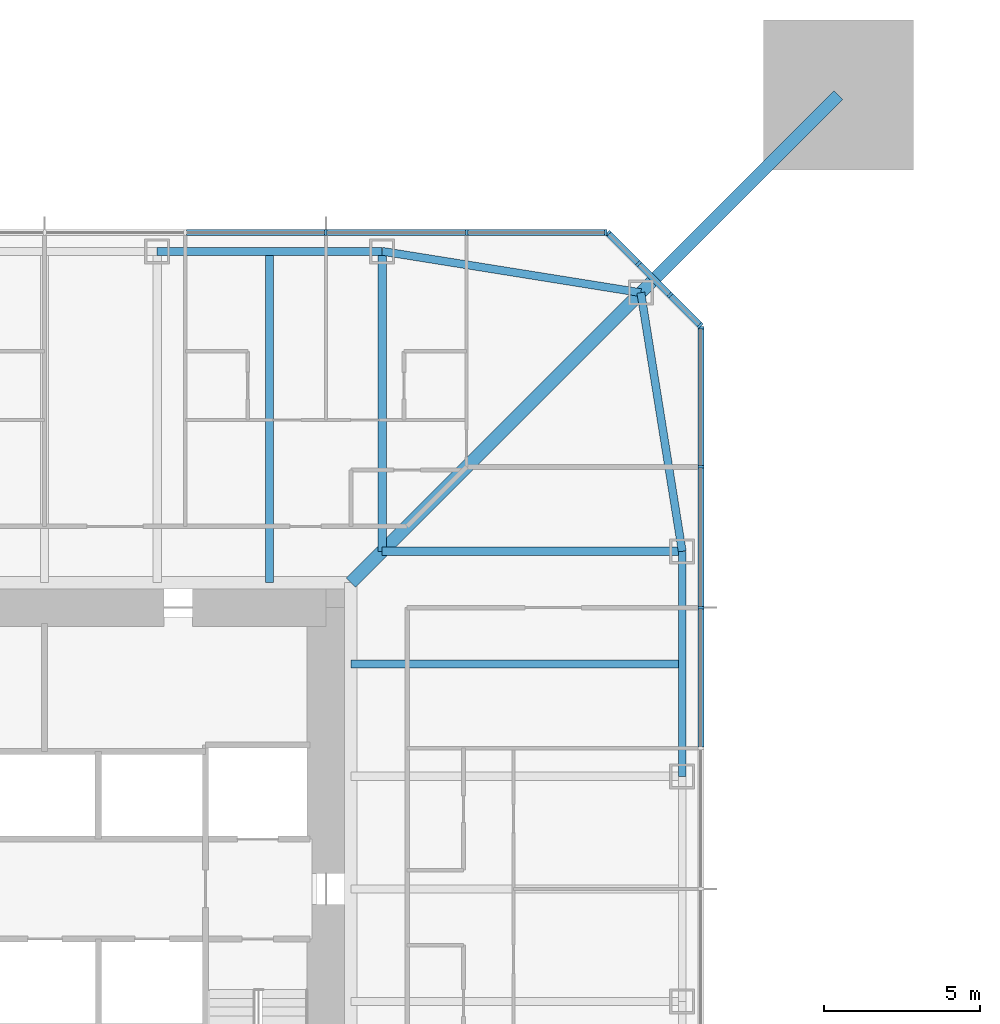
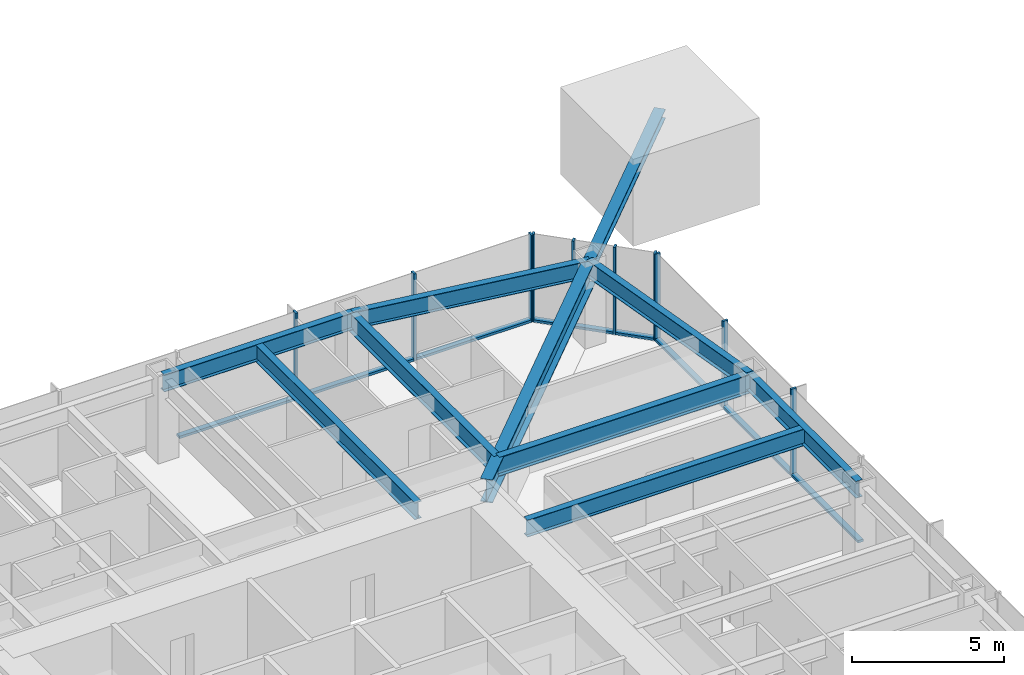
# One storey, part 7 of 25: 20 members, 9 beams, 3 elements without a shape of their own.
"""IFC4 building model written with IfcOpenShell, lengths in metres."""

from ifc_helpers import new_model, si_unit, direction, frame, origin, origin_2d, place, context, subcontext, project, spatial, rectangle, i_section, extrude, material, material_profile, profile_set, type_object, element, aggregate, save


model = new_model("IFC4")

# Units and contexts
model_context = context("Model", 3, precision=1e-05, world=origin(), true_north=direction((0.0, 1.0)))
body_context = subcontext(model_context, "Body", "Model", "MODEL_VIEW")
ifc_project = project(units=[si_unit("LENGTHUNIT", "METRE"), si_unit("AREAUNIT", "SQUARE_METRE"), si_unit("VOLUMEUNIT", "CUBIC_METRE"), si_unit("PLANEANGLEUNIT", "RADIAN"), si_unit("MASSUNIT", "GRAM", prefix="KILO")], contexts=[model_context])

# Site, building, storey
site_placement = place(None, origin())
site = spatial("IfcSite", under=ifc_project, at=site_placement, CompositionType="ELEMENT")
building_placement = place(site_placement, origin())
building = spatial("IfcBuilding", under=site, at=building_placement, Name="Iwan Alto Co-Living Towers", CompositionType="ELEMENT")
storey_placement = place(building_placement, frame((0.0, 0.0, 105.0)))
storey = spatial("IfcBuildingStorey", under=building, at=storey_placement, Name="L28", CompositionType="ELEMENT", Elevation=105.0)

# Curtain wall, members
ifc_material_1 = material(Name="Bronze aluminium unitised frame", Category="aluminium")
curtain_wall_type_1 = type_object("IfcCurtainWallType", Name="CURTAIN WALL CW-A", PredefinedType="NOTDEFINED", material=ifc_material_1)
curtain_wall_1_placement = place(storey_placement, origin())
curtain_wall_1 = element("IfcCurtainWall", 1, at=curtain_wall_1_placement, inside=storey, type_object=curtain_wall_type_1, Name="T1 curtain wall E L28", PredefinedType="NOTDEFINED")
ifc_material_2 = material(Name="Aluminium 6063-T6 bronze anodised", Category="aluminium")
ifc_material_profile_1 = material_profile(ifc_material_2, rectangle(XDim=0.199951171875, YDim=0.080078125, at=origin_2d()), Name="AL 80X200")
ifc_profile_set_1 = profile_set([ifc_material_profile_1], Name="Aluminium 6063-T6 bronze anodised")
member_type_1 = type_object("IfcMemberType", Name="CW-A MULLION 80X200", PredefinedType="MULLION", material=ifc_profile_set_1)
member_1_placement = place(storey_placement, frame((21.0, 9.0, 0.0), z_axis=(0.0, 0.0, 1.0), x_axis=(-1.0, 0.0, 0.0)))
member_1 = element("IfcMember", 2, at=member_1_placement, type_object=member_type_1, Name="CW-A mullion 7", PredefinedType="MULLION", context=body_context, shape_type="SweptSolid", body=[
    extrude(rectangle(XDim=0.199951171875, YDim=0.080078125, at=origin_2d()), origin(), (0.0, 0.0, 1.0), 3.5),
])
member_2_placement = place(storey_placement, frame((21.0, 13.5, 0.0), z_axis=(0.0, 0.0, 1.0), x_axis=(-1.0, 0.0, 0.0)))
member_2 = element("IfcMember", 3, at=member_2_placement, type_object=member_type_1, Name="CW-A mullion 8", PredefinedType="MULLION", context=body_context, shape_type="SweptSolid", body=[
    extrude(rectangle(XDim=0.199951171875, YDim=0.080078125, at=origin_2d()), origin(), (0.0, 0.0, 1.0), 3.5),
])
member_3_placement = place(storey_placement, frame((21.0, 17.9599609375, 0.0), z_axis=(0.0, 0.0, 1.0), x_axis=(-1.0, 0.0, 0.0)))
member_3 = element("IfcMember", 4, at=member_3_placement, type_object=member_type_1, Name="CW-A mullion 9", PredefinedType="MULLION", context=body_context, shape_type="SweptSolid", body=[
    extrude(rectangle(XDim=0.199951171875, YDim=0.080078125, at=origin_2d()), origin(), (0.0, 0.0, 1.0), 3.5),
])

curtain_wall_2_placement = place(storey_placement, origin())
curtain_wall_2 = element("IfcCurtainWall", 5, at=curtain_wall_2_placement, inside=storey, type_object=curtain_wall_type_1, Name="T1 curtain wall N L28", PredefinedType="NOTDEFINED")
member_4_placement = place(storey_placement, frame((17.9599609375, 21.0, 0.0), z_axis=(0.0, 0.0, 1.0), x_axis=(0.0, -1.0, 0.0)))
member_4 = element("IfcMember", 6, at=member_4_placement, type_object=member_type_1, Name="CW-A mullion 1", PredefinedType="MULLION", context=body_context, shape_type="SweptSolid", body=[
    extrude(rectangle(XDim=0.199951171875, YDim=0.080078125, at=origin_2d()), origin(), (0.0, 0.0, 1.0), 3.5),
])
member_5_placement = place(storey_placement, frame((13.5, 21.0, 0.0), z_axis=(0.0, 0.0, 1.0), x_axis=(0.0, -1.0, 0.0)))
member_5 = element("IfcMember", 7, at=member_5_placement, type_object=member_type_1, Name="CW-A mullion 2", PredefinedType="MULLION", context=body_context, shape_type="SweptSolid", body=[
    extrude(rectangle(XDim=0.199951171875, YDim=0.080078125, at=origin_2d()), origin(), (0.0, 0.0, 1.0), 3.5),
])
member_6_placement = place(storey_placement, frame((9.0, 21.0, 0.0), z_axis=(0.0, 0.0, 1.0), x_axis=(0.0, -1.0, 0.0)))
member_6 = element("IfcMember", 8, at=member_6_placement, type_object=member_type_1, Name="CW-A mullion 3", PredefinedType="MULLION", context=body_context, shape_type="SweptSolid", body=[
    extrude(rectangle(XDim=0.199951171875, YDim=0.080078125, at=origin_2d()), origin(), (0.0, 0.0, 1.0), 3.5),
])

# Member
ifc_material_3 = material(Name="Aluminium 6063-T6 bronze anodised", Category="aluminium")
ifc_material_profile_2 = material_profile(ifc_material_3, rectangle(XDim=0.199951171875, YDim=0.10009765625, at=origin_2d()), Name="AL 200X100")
ifc_profile_set_2 = profile_set([ifc_material_profile_2], Name="Aluminium 6063-T6 bronze anodised")
member_type_2 = type_object("IfcMemberType", Name="CW-A TRANSOM 200X100", PredefinedType="USERDEFINED", material=ifc_profile_set_2)
member_7_placement = place(storey_placement, frame((21.0, 4.5400390625, 0.050048828125), z_axis=(0.0, 1.0, 0.0), x_axis=(-1.0, 0.0, 0.0)))
member_7 = element("IfcMember", 9, at=member_7_placement, type_object=member_type_2, Name="CW-A transom 6.1", ObjectType="TRANSOM", PredefinedType="USERDEFINED", context=body_context, shape_type="SweptSolid", body=[
    extrude(rectangle(XDim=0.199951171875, YDim=0.10009765625, at=origin_2d()), origin(), (0.0, 0.0, 1.0), 4.419921875),
])

member_8_placement = place(storey_placement, frame((21.0, 9.0400390625, 0.050048828125), z_axis=(0.0, 1.0, 0.0), x_axis=(-1.0, 0.0, 0.0)))
member_8 = element("IfcMember", 10, at=member_8_placement, type_object=member_type_2, Name="CW-A transom 7.1", ObjectType="TRANSOM", PredefinedType="USERDEFINED", context=body_context, shape_type="SweptSolid", body=[
    extrude(rectangle(XDim=0.199951171875, YDim=0.10009765625, at=origin_2d()), origin(), (0.0, 0.0, 1.0), 4.419921875),
])

member_9_placement = place(storey_placement, frame((21.0, 13.5400390625, 0.050048828125), z_axis=(0.0, 1.0, 0.0), x_axis=(-1.0, 0.0, 0.0)))
member_9 = element("IfcMember", 11, at=member_9_placement, type_object=member_type_2, Name="CW-A transom 8.1", ObjectType="TRANSOM", PredefinedType="USERDEFINED", context=body_context, shape_type="SweptSolid", body=[
    extrude(rectangle(XDim=0.199951171875, YDim=0.10009765625, at=origin_2d()), origin(), (0.0, 0.0, 1.0), 4.3798828125),
])

aggregate(curtain_wall_1, [member_1, member_2, member_3, member_7, member_8, member_9])

member_10_placement = place(storey_placement, frame((17.919921875, 21.0, 0.050048828125), z_axis=(-1.0, 0.0, 0.0), x_axis=(0.0, -1.0, 0.0)))
member_10 = element("IfcMember", 12, at=member_10_placement, type_object=member_type_2, Name="CW-A transom 1.1", ObjectType="TRANSOM", PredefinedType="USERDEFINED", context=body_context, shape_type="SweptSolid", body=[
    extrude(rectangle(XDim=0.199951171875, YDim=0.10009765625, at=origin_2d()), origin(), (0.0, 0.0, 1.0), 4.3798828125),
])

member_11_placement = place(storey_placement, frame((13.4599609375, 21.0, 0.050048828125), z_axis=(-1.0, 0.0, 0.0), x_axis=(0.0, -1.0, 0.0)))
member_11 = element("IfcMember", 13, at=member_11_placement, type_object=member_type_2, Name="CW-A transom 2.1", ObjectType="TRANSOM", PredefinedType="USERDEFINED", context=body_context, shape_type="SweptSolid", body=[
    extrude(rectangle(XDim=0.199951171875, YDim=0.10009765625, at=origin_2d()), origin(), (0.0, 0.0, 1.0), 4.419921875),
])

member_12_placement = place(storey_placement, frame((8.9599609375, 21.0, 0.050048828125), z_axis=(-1.0, 0.0, 0.0), x_axis=(0.0, -1.0, 0.0)))
member_12 = element("IfcMember", 14, at=member_12_placement, type_object=member_type_2, Name="CW-A transom 3.1", ObjectType="TRANSOM", PredefinedType="USERDEFINED", context=body_context, shape_type="SweptSolid", body=[
    extrude(rectangle(XDim=0.199951171875, YDim=0.10009765625, at=origin_2d()), origin(), (0.0, 0.0, 1.0), 4.419921875),
])

aggregate(curtain_wall_2, [member_4, member_5, member_6, member_10, member_11, member_12])

# Curtain wall, members
ifc_material_4 = material(Name="Bronze aluminium unitised frame", Category="aluminium")
curtain_wall_type_2 = type_object("IfcCurtainWallType", Name="CURTAIN WALL CW-B", PredefinedType="NOTDEFINED", material=ifc_material_4)
curtain_wall_3_placement = place(storey_placement, origin())
curtain_wall_3 = element("IfcCurtainWall", 15, at=curtain_wall_3_placement, inside=storey, type_object=curtain_wall_type_2, Name="T1 chamfer curtain wall NE L28", PredefinedType="NOTDEFINED")
ifc_material_5 = material(Name="Aluminium 6063-T6 bronze anodised", Category="aluminium")
ifc_material_profile_3 = material_profile(ifc_material_5, rectangle(XDim=0.199951171875, YDim=0.080078125, at=origin_2d()), Name="AL 80X200")
ifc_profile_set_3 = profile_set([ifc_material_profile_3], Name="Aluminium 6063-T6 bronze anodised")
member_type_3 = type_object("IfcMemberType", Name="CW-B MULLION 80X200", PredefinedType="MULLION", material=ifc_profile_set_3)
member_13_placement = place(storey_placement, frame((20.9716796875, 18.0283203125, 0.0), z_axis=(0.0, 0.0, 1.0), x_axis=(-0.707106781187, -0.707106781187, 0.0)))
member_13 = element("IfcMember", 16, at=member_13_placement, type_object=member_type_3, Name="CW-B mullion 1", PredefinedType="MULLION", context=body_context, shape_type="SweptSolid", body=[
    extrude(rectangle(XDim=0.199951171875, YDim=0.080078125, at=origin_2d()), origin(), (0.0, 0.0, 1.0), 3.5),
])
member_14_placement = place(storey_placement, frame((20.0, 19.0, 0.0), z_axis=(0.0, 0.0, 1.0), x_axis=(-0.707106781187, -0.707106781187, 0.0)))
member_14 = element("IfcMember", 17, at=member_14_placement, type_object=member_type_3, Name="CW-B mullion 2", PredefinedType="MULLION", context=body_context, shape_type="SweptSolid", body=[
    extrude(rectangle(XDim=0.199951171875, YDim=0.080078125, at=origin_2d()), origin(), (0.0, 0.0, 1.0), 3.5),
])
member_15_placement = place(storey_placement, frame((19.0, 20.0, 0.0), z_axis=(0.0, 0.0, 1.0), x_axis=(-0.707106781187, -0.707106781187, 0.0)))
member_15 = element("IfcMember", 18, at=member_15_placement, type_object=member_type_3, Name="CW-B mullion 3", PredefinedType="MULLION", context=body_context, shape_type="SweptSolid", body=[
    extrude(rectangle(XDim=0.199951171875, YDim=0.080078125, at=origin_2d()), origin(), (0.0, 0.0, 1.0), 3.5),
])
member_16_placement = place(storey_placement, frame((18.0283203125, 20.9716796875, 0.0), z_axis=(0.0, 0.0, 1.0), x_axis=(-0.707106781187, -0.707106781187, 0.0)))
member_16 = element("IfcMember", 19, at=member_16_placement, type_object=member_type_3, Name="CW-B mullion 4", PredefinedType="MULLION", context=body_context, shape_type="SweptSolid", body=[
    extrude(rectangle(XDim=0.199951171875, YDim=0.080078125, at=origin_2d()), origin(), (0.0, 0.0, 1.0), 3.5),
])
ifc_material_6 = material(Name="Aluminium 6063-T6 bronze anodised", Category="aluminium")
ifc_material_profile_4 = material_profile(ifc_material_6, rectangle(XDim=0.199951171875, YDim=0.10009765625, at=origin_2d()), Name="AL 200X100")
ifc_profile_set_4 = profile_set([ifc_material_profile_4], Name="Aluminium 6063-T6 bronze anodised")
member_type_4 = type_object("IfcMemberType", Name="CW-B TRANSOM 200X100", PredefinedType="USERDEFINED", material=ifc_profile_set_4)
member_17_placement = place(storey_placement, frame((20.943359375, 18.056640625, 0.050048828125), z_axis=(-0.707106781187, 0.707106781187, 0.0), x_axis=(-0.707106781187, -0.707106781187, 0.0)))
member_17 = element("IfcMember", 20, at=member_17_placement, type_object=member_type_4, Name="CW-B transom 1.1", ObjectType="TRANSOM", PredefinedType="USERDEFINED", context=body_context, shape_type="SweptSolid", body=[
    extrude(rectangle(XDim=0.199951171875, YDim=0.10009765625, at=origin_2d()), origin(), (0.0, 0.0, 1.0), 1.2939453125),
])
member_18_placement = place(storey_placement, frame((19.9716796875, 19.0283203125, 0.050048828125), z_axis=(-0.707106781187, 0.707106781187, 0.0), x_axis=(-0.707106781187, -0.707106781187, 0.0)))
member_18 = element("IfcMember", 21, at=member_18_placement, type_object=member_type_4, Name="CW-B transom 2.1", ObjectType="TRANSOM", PredefinedType="USERDEFINED", context=body_context, shape_type="SweptSolid", body=[
    extrude(rectangle(XDim=0.199951171875, YDim=0.10009765625, at=origin_2d()), origin(), (0.0, 0.0, 1.0), 1.334228515625),
])
member_19_placement = place(storey_placement, frame((18.9716796875, 20.0283203125, 0.050048828125), z_axis=(-0.707106781187, 0.707106781187, 0.0), x_axis=(-0.707106781187, -0.707106781187, 0.0)))
member_19 = element("IfcMember", 22, at=member_19_placement, type_object=member_type_4, Name="CW-B transom 3.1", ObjectType="TRANSOM", PredefinedType="USERDEFINED", context=body_context, shape_type="SweptSolid", body=[
    extrude(rectangle(XDim=0.199951171875, YDim=0.10009765625, at=origin_2d()), origin(), (0.0, 0.0, 1.0), 1.2939453125),
])
aggregate(curtain_wall_3, [member_13, member_14, member_15, member_16, member_17, member_18, member_19])

# Beams
ifc_material_7 = material(Name="Steel ASTM A992 Gr 50", Category="steel")
ifc_material_profile_5 = material_profile(ifc_material_7, i_section(OverallWidth=0.419189453125, OverallDepth=0.927001953125, WebThickness=0.019287109375, FlangeThickness=0.031982421875, at=origin_2d()), Name="W36X231")
ifc_profile_set_5 = profile_set([ifc_material_profile_5], Name="Steel ASTM A992 Gr 50")
beam_type_1 = type_object("IfcBeamType", Name="T1 CORNER GIRDER W36X231", PredefinedType="BEAM", material=ifc_profile_set_5)
beam_1_placement = place(storey_placement, frame((19.07568359375, 19.07568359375, 2.806396484375), z_axis=(-0.707106781187, -0.707106781187, 0.0), x_axis=(0.707106781187, -0.707106781187, 0.0)))
element("IfcBeam", 23, at=beam_1_placement, inside=storey, type_object=beam_type_1, Name="T1 corner girder CNE L29", PredefinedType="BEAM", context=body_context, shape_type="SweptSolid", body=[
    extrude(i_section(OverallWidth=0.419189453125, OverallDepth=0.927001953125, WebThickness=0.019287109375, FlangeThickness=0.031982421875, at=origin_2d()), origin(), (0.0, 0.0, 1.0), 13.11865234375),
])
ifc_material_8 = material(Name="Steel ASTM A992 Gr 50", Category="steel")
ifc_material_profile_6 = material_profile(ifc_material_8, i_section(OverallWidth=0.25390625, OverallDepth=0.683349609375, WebThickness=0.012451171875, FlangeThickness=0.018798828125, at=origin_2d()), Name="W27X94")
ifc_profile_set_6 = profile_set([ifc_material_profile_6], Name="Steel ASTM A992 Gr 50")
beam_type_2 = type_object("IfcBeamType", Name="T1 EDGE BEAM W27X94", PredefinedType="BEAM", material=ifc_profile_set_6)
beam_2_placement = place(storey_placement, frame((20.39990234375, 3.60009765625, 2.928466796875), z_axis=(0.0, 1.0, 0.0), x_axis=(-1.0, 0.0, 0.0)))
element("IfcBeam", 24, at=beam_2_placement, inside=storey, type_object=beam_type_2, Name="T1 edge beam E3 L29", PredefinedType="BEAM", context=body_context, shape_type="SweptSolid", body=[
    extrude(i_section(OverallWidth=0.25390625, OverallDepth=0.683349609375, WebThickness=0.012451171875, FlangeThickness=0.018798828125, at=origin_2d()), origin(), (0.0, 0.0, 1.0), 7.199951171875),
])
for number, where, z_axis, x_axis, name in (
    (25, (20.39990234375, 10.800048828125, 2.928466796875), (-0.158004134737, 0.987438450439, 0.0), (-0.987438450439, -0.158004134737, 0.0), "T1 edge beam E4 L29"),
    (26, (19.07568359375, 19.07568359375, 2.928466796875), (-0.987438450439, 0.158004134737, 0.0), (-0.158004134737, -0.987438450439, 0.0), "T1 edge beam CNE L29"),
):
    element("IfcBeam", number, at=place(storey_placement, frame(where, z_axis=z_axis, x_axis=x_axis)), inside=storey, type_object=beam_type_2, Name=name, PredefinedType="BEAM", context=body_context, shape_type="SweptSolid", body=[
        extrude(i_section(OverallWidth=0.25390625, OverallDepth=0.683349609375, WebThickness=0.012451171875, FlangeThickness=0.018798828125, at=origin_2d()), origin(), (0.0, 0.0, 1.0), 8.380859375),
    ])
beam_3_placement = place(storey_placement, frame((10.800048828125, 20.39990234375, 2.928466796875), z_axis=(-1.0, 0.0, 0.0), x_axis=(0.0, -1.0, 0.0)))
element("IfcBeam", 27, at=beam_3_placement, inside=storey, type_object=beam_type_2, Name="T1 edge beam N1 L29", PredefinedType="BEAM", context=body_context, shape_type="SweptSolid", body=[
    extrude(i_section(OverallWidth=0.25390625, OverallDepth=0.683349609375, WebThickness=0.012451171875, FlangeThickness=0.018798828125, at=origin_2d()), origin(), (0.0, 0.0, 1.0), 7.199951171875),
])

# Member
ifc_material_9 = material(Name="Steel ASTM A992 Gr 50", Category="steel")
ifc_material_profile_7 = material_profile(ifc_material_9, i_section(OverallWidth=0.393798828125, OverallDepth=0.3759765625, WebThickness=0.017333984375, FlangeThickness=0.027587890625, at=origin_2d()), Name="W14X145")
ifc_profile_set_7 = profile_set([ifc_material_profile_7], Name="Steel ASTM A992 Gr 50")
member_type_5 = type_object("IfcMemberType", Name="T1 MEGA COLUMN FLOOR TIE W14X145", PredefinedType="STRUT", material=ifc_profile_set_7)
member_20_placement = place(storey_placement, frame((25.39990234375, 25.39990234375, 3.08203125), z_axis=(-0.707106781187, -0.707106781187, 0.0), x_axis=(0.707106781187, -0.707106781187, 0.0)))
element("IfcMember", 28, at=member_20_placement, inside=storey, type_object=member_type_5, Name="T1 mega column floor tie NE L29", PredefinedType="STRUT", context=body_context, shape_type="SweptSolid", body=[
    extrude(i_section(OverallWidth=0.393798828125, OverallDepth=0.3759765625, WebThickness=0.017333984375, FlangeThickness=0.027587890625, at=origin_2d()), origin(), (0.0, 0.0, 1.0), 8.94384765625),
])

# Beams
ifc_material_10 = material(Name="Steel ASTM A992 Gr 50", Category="steel")
ifc_material_profile_8 = material_profile(ifc_material_10, i_section(OverallWidth=0.2666015625, OverallDepth=0.761962890625, WebThickness=0.014404296875, FlangeThickness=0.021484375, at=origin_2d()), Name="W30X116")
ifc_profile_set_8 = profile_set([ifc_material_profile_8], Name="Steel ASTM A992 Gr 50")
beam_type_3 = type_object("IfcBeamType", Name="T1 RADIAL BEAM W30X116", PredefinedType="BEAM", material=ifc_profile_set_8)
for number, where, z_axis, x_axis, name in (
    (29, (20.39990234375, 10.800048828125, 2.888916015625), (-1.0, 0.0, 0.0), (0.0, -1.0, 0.0), "T1 radial beam E4 L29"),
    (30, (10.800048828125, 20.39990234375, 2.888916015625), (0.0, -1.0, 0.0), (1.0, 0.0, 0.0), "T1 radial beam N1 L29"),
):
    element("IfcBeam", number, at=place(storey_placement, frame(where, z_axis=z_axis, x_axis=x_axis)), inside=storey, type_object=beam_type_3, Name=name, PredefinedType="BEAM", context=body_context, shape_type="SweptSolid", body=[
        extrude(i_section(OverallWidth=0.2666015625, OverallDepth=0.761962890625, WebThickness=0.014404296875, FlangeThickness=0.021484375, at=origin_2d()), origin(), (0.0, 0.0, 1.0), 9.599853515625),
    ])
ifc_material_11 = material(Name="Steel ASTM A992 Gr 50", Category="steel")
ifc_material_profile_9 = material_profile(ifc_material_11, i_section(OverallWidth=0.25390625, OverallDepth=0.683349609375, WebThickness=0.012451171875, FlangeThickness=0.018798828125, at=origin_2d()), Name="W27X94")
ifc_profile_set_9 = profile_set([ifc_material_profile_9], Name="Steel ASTM A992 Gr 50")
beam_type_4 = type_object("IfcBeamType", Name="T1 SECONDARY BEAM W27X94", PredefinedType="JOIST", material=ifc_profile_set_9)
for number, where, z_axis, x_axis, name in (
    (31, (20.39990234375, 7.199951171875, 2.928466796875), (-1.0, 0.0, 0.0), (0.0, -1.0, 0.0), "T1 secondary beam E3 L29"),
    (32, (7.199951171875, 20.39990234375, 2.928466796875), (0.0, -1.0, 0.0), (1.0, 0.0, 0.0), "T1 secondary beam N1 L29"),
):
    element("IfcBeam", number, at=place(storey_placement, frame(where, z_axis=z_axis, x_axis=x_axis)), inside=storey, type_object=beam_type_4, Name=name, PredefinedType="JOIST", context=body_context, shape_type="SweptSolid", body=[
        extrude(i_section(OverallWidth=0.25390625, OverallDepth=0.683349609375, WebThickness=0.012451171875, FlangeThickness=0.018798828125, at=origin_2d()), origin(), (0.0, 0.0, 1.0), 10.6005859375),
    ])

save(model, "model.ifc")
